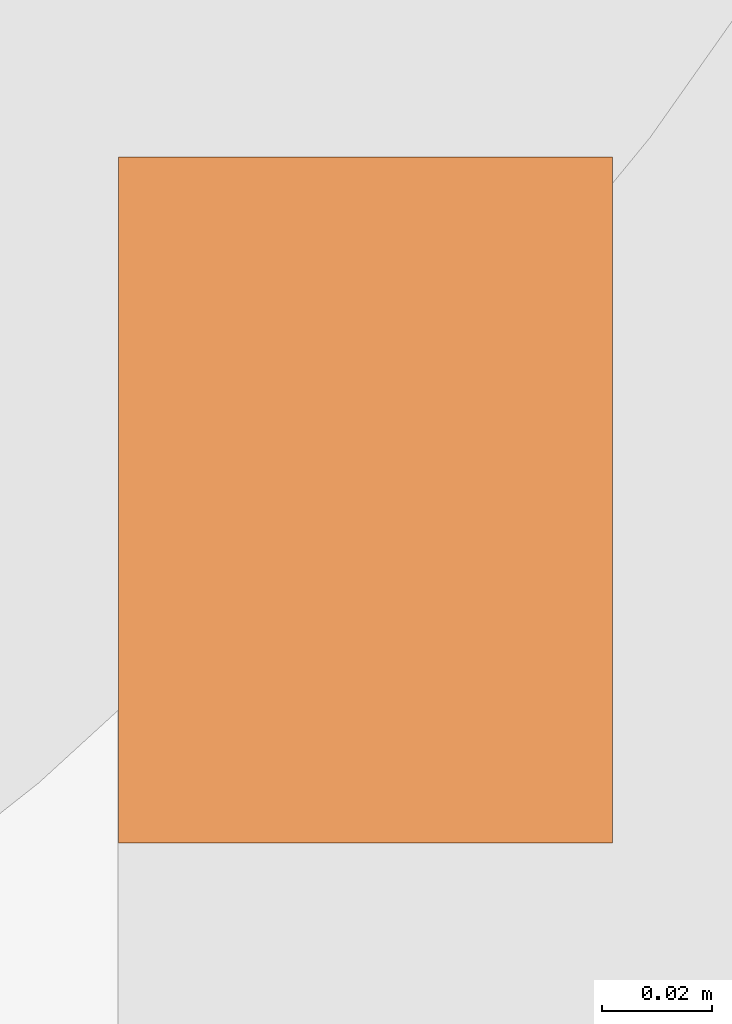
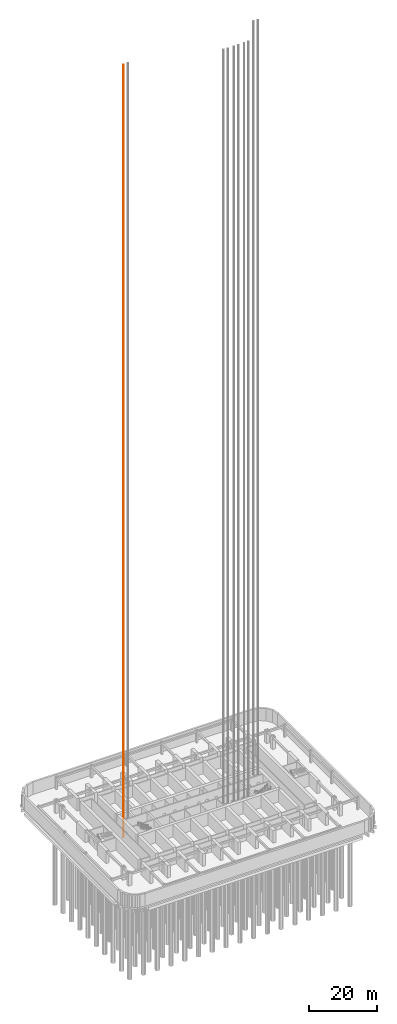
# One storey, part 25 of 28: 1 proxy.
"""IFC4 building model written with IfcOpenShell, lengths in metres."""

from ifc_helpers import new_model, si_unit, direction, frame, origin, origin_2d, place, context, subcontext, project, spatial, rectangle, extrude, material, element, save


model = new_model("IFC4")

# Units and contexts
model_context = context("Model", 3, precision=1e-05, world=origin(), true_north=direction((0.0, 1.0)))
body_context = subcontext(model_context, "Body", "Model", "MODEL_VIEW")
ifc_project = project(units=[si_unit("LENGTHUNIT", "METRE"), si_unit("AREAUNIT", "SQUARE_METRE"), si_unit("VOLUMEUNIT", "CUBIC_METRE"), si_unit("PLANEANGLEUNIT", "RADIAN"), si_unit("MASSUNIT", "GRAM", prefix="KILO")], contexts=[model_context])

# Site, building, storey
site_placement = place(None, origin())
site = spatial("IfcSite", under=ifc_project, at=site_placement, CompositionType="ELEMENT")
building_placement = place(site_placement, origin())
building = spatial("IfcBuilding", under=site, at=building_placement, Name="Orbita Commons", CompositionType="ELEMENT")
storey_placement = place(building_placement, frame((0.0, 0.0, -9.0)))
storey = spatial("IfcBuildingStorey", under=building, at=storey_placement, Name="L-02", CompositionType="ELEMENT", Elevation=-9.0)

# Proxy
ifc_material = material(Name="Machined steel guide rail", Category="steel")
placement = place(storey_placement, frame((19.800048828125, 36.39990234375, 0.0), z_axis=(0.0, 0.0, 1.0), x_axis=(1.0, 0.0, 0.0)))
proxy_placement = place(placement, frame((-0.7548828125, 0.0, -3.199951171875)))
element("IfcBuildingElementProxy", 1, at=proxy_placement, inside=storey, material=ifc_material, Name="FL1 guide rail 1", ObjectType="GUIDE RAIL", PredefinedType="USERDEFINED", context=body_context, shape_type="SweptSolid", body=[
    extrude(rectangle(XDim=0.09, YDim=0.125, at=origin_2d()), origin(), (0.0, 0.0, 1.0), 279.0),
])

save(model, "model.ifc")
